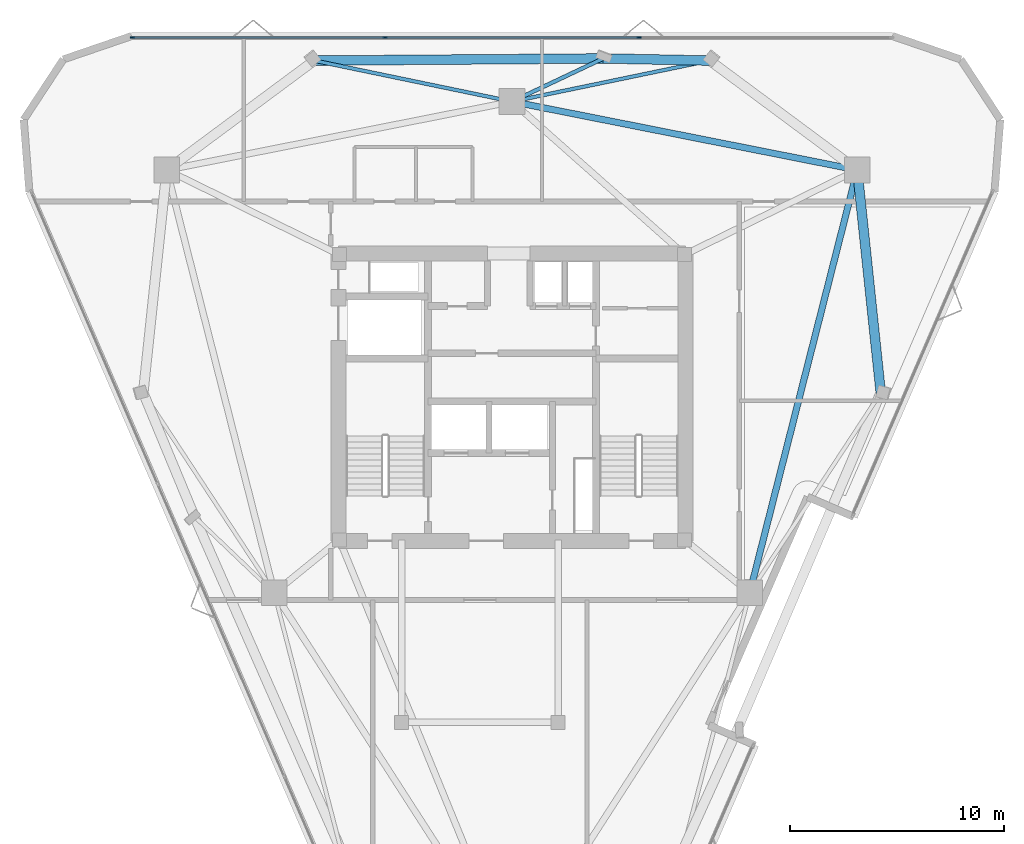
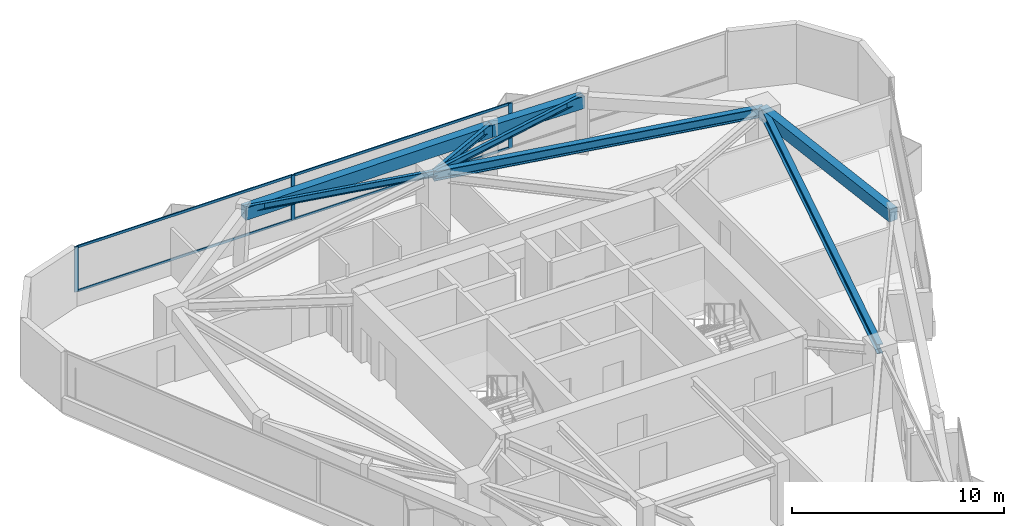
# One storey, part 5 of 10: 8 beams, 7 members, 1 element without a shape of its own.
"""IFC4 building model written with IfcOpenShell, lengths in metres."""

from ifc_helpers import new_model, si_unit, direction, frame, origin, origin_2d, place, context, subcontext, project, spatial, rectangle, i_section, extrude, material, layer, layer_set, material_profile, profile_set, type_object, element, aggregate, save


model = new_model("IFC4")

# Units and contexts
model_context = context("Model", 3, precision=1e-05, world=origin(), true_north=direction((0.0, 1.0)))
body_context = subcontext(model_context, "Body", "Model", "MODEL_VIEW")
ifc_project = project(units=[si_unit("LENGTHUNIT", "METRE"), si_unit("AREAUNIT", "SQUARE_METRE"), si_unit("VOLUMEUNIT", "CUBIC_METRE"), si_unit("PLANEANGLEUNIT", "RADIAN"), si_unit("MASSUNIT", "GRAM", prefix="KILO")], contexts=[model_context])

# Site, building, storey
site_placement = place(None, origin())
site = spatial("IfcSite", under=ifc_project, at=site_placement, CompositionType="ELEMENT")
building_placement = place(site_placement, origin())
building = spatial("IfcBuilding", under=site, at=building_placement, Name="Talyreon Biosciences Tower", CompositionType="ELEMENT")
storey_placement = place(building_placement, frame((0.0, 0.0, 257.14990234375)))
storey = spatial("IfcBuildingStorey", under=building, at=storey_placement, Name="L68", CompositionType="ELEMENT", Elevation=257.14990234375)

# Curtain wall, members
ifc_material_1 = material(Name="Thermally broken aluminium and low-E glazing", Category="aluminium")
ifc_layer = layer(ifc_material_1, 0.205078125)
ifc_layer_set = layer_set([ifc_layer], Name="Thermally broken aluminium and low-E glazing")
curtain_wall_type = type_object("IfcCurtainWallType", Name="CurtainWall_SkyGardenLoggia", PredefinedType="NOTDEFINED", material=ifc_layer_set)
curtain_wall_placement = place(storey_placement, origin())
curtain_wall = element("IfcCurtainWall", 1, at=curtain_wall_placement, inside=storey, type_object=curtain_wall_type, Name="L68 Unitised Curtain Wall FCW-L68-03", PredefinedType="NOTDEFINED")
ifc_material_2 = material(Name="Anodised thermally broken aluminium", Category="aluminium")
ifc_material_profile_1 = material_profile(ifc_material_2, rectangle(XDim=0.074951171875, YDim=0.2099609375, at=origin_2d()), Name="ALUM MULLION 75x210")
ifc_profile_set_1 = profile_set([ifc_material_profile_1], Name="Anodised thermally broken aluminium")
member_type_1 = type_object("IfcMemberType", Name="CWMullion_75x210", PredefinedType="MULLION", material=ifc_profile_set_1)
member_1_placement = place(storey_placement, frame((48.299072265625, 84.77099609375, 0.81005859375), z_axis=(0.0, 0.0, 1.0), x_axis=(0.0, 1.0, 0.0)))
member_1 = element("IfcMember", 2, at=member_1_placement, type_object=member_type_1, Name="CW7 mullion 1", PredefinedType="MULLION", context=body_context, shape_type="SweptSolid", body=[
    extrude(rectangle(XDim=0.074951171875, YDim=0.2099609375, at=origin_2d()), origin(), (0.0, 0.0, 1.0), 2.590087890625),
])
member_2_placement = place(storey_placement, frame((60.087158203125, 84.77099609375, 0.81005859375), z_axis=(0.0, 0.0, 1.0), x_axis=(0.0, 1.0, 0.0)))
member_2 = element("IfcMember", 3, at=member_2_placement, type_object=member_type_1, Name="CW7 mullion 2", PredefinedType="MULLION", context=body_context, shape_type="SweptSolid", body=[
    extrude(rectangle(XDim=0.074951171875, YDim=0.2099609375, at=origin_2d()), origin(), (0.0, 0.0, 1.0), 2.590087890625),
])
member_3_placement = place(storey_placement, frame((71.912841796875, 84.77099609375, 0.81005859375), z_axis=(0.0, 0.0, 1.0), x_axis=(0.0, 1.0, 0.0)))
member_3 = element("IfcMember", 4, at=member_3_placement, type_object=member_type_1, Name="CW7 mullion 3", PredefinedType="MULLION", context=body_context, shape_type="SweptSolid", body=[
    extrude(rectangle(XDim=0.074951171875, YDim=0.2099609375, at=origin_2d()), origin(), (0.0, 0.0, 1.0), 2.590087890625),
])
ifc_material_profile_2 = material_profile(ifc_material_2, rectangle(XDim=0.06494140625, YDim=0.139892578125, at=origin_2d()), Name="ALUM TRANSOM 65x140")
ifc_profile_set_2 = profile_set([ifc_material_profile_2], Name="Anodised thermally broken aluminium")
member_type_2 = type_object("IfcMemberType", Name="CWTransom_65x140", PredefinedType="USERDEFINED", material=ifc_profile_set_2)
member_4_placement = place(storey_placement, frame((48.33642578125, 84.77099609375, 0.842529296875), z_axis=(1.0, 0.0, 0.0), x_axis=(0.0, 1.0, 0.0)))
member_4 = element("IfcMember", 5, at=member_4_placement, type_object=member_type_2, Name="CW7 transom 1.1", ObjectType="TRANSOM", PredefinedType="USERDEFINED", context=body_context, shape_type="SweptSolid", body=[
    extrude(rectangle(XDim=0.06494140625, YDim=0.139892578125, at=origin_2d()), origin(), (0.0, 0.0, 1.0), 11.713134765625),
])
member_5_placement = place(storey_placement, frame((48.33642578125, 84.77099609375, 3.36767578125), z_axis=(1.0, 0.0, 0.0), x_axis=(0.0, 1.0, 0.0)))
member_5 = element("IfcMember", 6, at=member_5_placement, type_object=member_type_2, Name="CW7 transom 1.2", ObjectType="TRANSOM", PredefinedType="USERDEFINED", context=body_context, shape_type="SweptSolid", body=[
    extrude(rectangle(XDim=0.06494140625, YDim=0.139892578125, at=origin_2d()), origin(), (0.0, 0.0, 1.0), 11.713134765625),
])
member_6_placement = place(storey_placement, frame((60.124755859375, 84.77099609375, 0.842529296875), z_axis=(1.0, 0.0, 0.0), x_axis=(0.0, 1.0, 0.0)))
member_6 = element("IfcMember", 7, at=member_6_placement, type_object=member_type_2, Name="CW7 transom 2.1", ObjectType="TRANSOM", PredefinedType="USERDEFINED", context=body_context, shape_type="SweptSolid", body=[
    extrude(rectangle(XDim=0.06494140625, YDim=0.139892578125, at=origin_2d()), origin(), (0.0, 0.0, 1.0), 11.75048828125),
])
member_7_placement = place(storey_placement, frame((60.124755859375, 84.77099609375, 3.36767578125), z_axis=(1.0, 0.0, 0.0), x_axis=(0.0, 1.0, 0.0)))
member_7 = element("IfcMember", 8, at=member_7_placement, type_object=member_type_2, Name="CW7 transom 2.2", ObjectType="TRANSOM", PredefinedType="USERDEFINED", context=body_context, shape_type="SweptSolid", body=[
    extrude(rectangle(XDim=0.06494140625, YDim=0.139892578125, at=origin_2d()), origin(), (0.0, 0.0, 1.0), 11.75048828125),
])
aggregate(curtain_wall, [member_1, member_2, member_3, member_4, member_5, member_6, member_7])

# Beams
ifc_material_3 = material(Name="Precast concrete C45/55", Category="concrete")
ifc_material_profile_3 = material_profile(ifc_material_3, rectangle(XDim=0.449951171875, YDim=0.699951171875, at=origin_2d()), Name="RCB 450x700")
ifc_profile_set_3 = profile_set([ifc_material_profile_3], Name="Precast concrete C45/55")
beam_type_1 = type_object("IfcBeamType", Name="ExpressedSpandrel_450x700", PredefinedType="SPANDREL", material=ifc_profile_set_3)
beam_1_placement = place(storey_placement, frame((83.197998046875, 68.20654296875, 3.050048828125), z_axis=(-0.104855047938, 0.994487515719, 0.0), x_axis=(-0.994487515719, -0.104855047938, 0.0)))
element("IfcBeam", 9, at=beam_1_placement, inside=storey, type_object=beam_type_1, Name="L68 Expressed Horizontal Concrete Spandrel 04", PredefinedType="SPANDREL", context=body_context, shape_type="SweptSolid", body=[
    extrude(rectangle(XDim=0.449951171875, YDim=0.699951171875, at=origin_2d()), origin(), (0.0, 0.0, 1.0), 10.44970703125),
])
beam_2_placement = place(storey_placement, frame((75.22412109375, 83.700927734375, 3.050048828125), z_axis=(-0.999797002788, 0.020148280715, 0.0), x_axis=(-0.020148280715, -0.999797002788, 0.0)))
element("IfcBeam", 10, at=beam_2_placement, inside=storey, type_object=beam_type_1, Name="L68 Expressed Horizontal Concrete Spandrel 06", PredefinedType="SPANDREL", context=body_context, shape_type="SweptSolid", body=[
    extrude(rectangle(XDim=0.449951171875, YDim=0.699951171875, at=origin_2d()), origin(), (0.0, 0.0, 1.0), 4.968017578125),
])
beam_3_placement = place(storey_placement, frame((70.257080078125, 83.801025390625, 3.050048828125), z_axis=(-0.999972435972, -0.00742477587, 0.0), x_axis=(0.00742477587, -0.999972435972, 0.0)))
element("IfcBeam", 11, at=beam_3_placement, inside=storey, type_object=beam_type_1, Name="L68 Expressed Horizontal Concrete Spandrel 07", PredefinedType="SPANDREL", context=body_context, shape_type="SweptSolid", body=[
    extrude(rectangle(XDim=0.449951171875, YDim=0.699951171875, at=origin_2d()), origin(), (0.0, 0.0, 1.0), 13.481689453125),
])
ifc_material_4 = material(Name="Steel SM355", Category="steel")
ifc_material_profile_4 = material_profile(ifc_material_4, i_section(OverallWidth=0.300048828125, OverallDepth=0.550048828125, WebThickness=0.014892578125, FlangeThickness=0.029052734375, FilletRadius=0.027099609375, at=origin_2d()), Name="HE550B")
ifc_profile_set_4 = profile_set([ifc_material_profile_4], Name="Steel SM355")
beam_type_2 = type_object("IfcBeamType", Name="SteelBeam_HE550B", PredefinedType="BEAM", material=ifc_profile_set_4)
beam_4_placement = place(storey_placement, frame((77.086181640625, 58.88037109375, 3.125), z_axis=(0.246537082299, 0.969133358755, 0.0), x_axis=(-0.969133358755, 0.246537082299, 0.0)))
element("IfcBeam", 12, at=beam_4_placement, inside=storey, type_object=beam_type_2, Name="L68 Mega-Ring Girder 2", PredefinedType="BEAM", context=body_context, shape_type="SweptSolid", body=[
    extrude(i_section(OverallWidth=0.300048828125, OverallDepth=0.550048828125, WebThickness=0.014892578125, FlangeThickness=0.029052734375, FilletRadius=0.027099609375, at=origin_2d()), origin(), (0.0, 0.0, 1.0), 20.34619140625),
])
beam_5_placement = place(storey_placement, frame((82.102294921875, 78.5986328125, 3.125), z_axis=(-0.980933730698, 0.194342522311, 0.0), x_axis=(-0.194342522311, -0.980933730698, 0.0)))
element("IfcBeam", 13, at=beam_5_placement, inside=storey, type_object=beam_type_2, Name="L68 Mega-Ring Girder 3", PredefinedType="BEAM", context=body_context, shape_type="SweptSolid", body=[
    extrude(i_section(OverallWidth=0.300048828125, OverallDepth=0.550048828125, WebThickness=0.014892578125, FlangeThickness=0.029052734375, FilletRadius=0.027099609375, at=origin_2d()), origin(), (0.0, 0.0, 1.0), 16.415283203125),
])
ifc_material_profile_5 = material_profile(ifc_material_4, i_section(OverallWidth=0.169921875, OverallDepth=0.360107421875, WebThickness=0.008056640625, FlangeThickness=0.0126953125, FilletRadius=0.01806640625, at=origin_2d()), Name="IPE360")
ifc_profile_set_5 = profile_set([ifc_material_profile_5], Name="Steel SM355")
beam_type_3 = type_object("IfcBeamType", Name="SteelJoist_IPE360", PredefinedType="JOIST", material=ifc_profile_set_5)
for number, where, z_axis, x_axis, name in (
    (14, (66.0, 81.788818359375, 3.22021484375), (0.979183041531, 0.202979238295, 0.0), (-0.202979238295, 0.979183041531, 0.0), "L68 Radial Composite Floor Joist PC-N1"),
    (15, (66.0, 81.788818359375, 3.22021484375), (-0.979183041531, 0.202979238295, 0.0), (-0.202979238295, -0.979183041531, 0.0), "L68 Radial Composite Floor Joist PC-N2"),
):
    element("IfcBeam", number, at=place(storey_placement, frame(where, z_axis=z_axis, x_axis=x_axis)), inside=storey, type_object=beam_type_3, Name=name, PredefinedType="JOIST", context=body_context, shape_type="SweptSolid", body=[
        extrude(i_section(OverallWidth=0.169921875, OverallDepth=0.360107421875, WebThickness=0.008056640625, FlangeThickness=0.0126953125, FilletRadius=0.01806640625, at=origin_2d()), origin(), (0.0, 0.0, 1.0), 9.420166015625),
    ])
ifc_material_profile_6 = material_profile(ifc_material_4, i_section(OverallWidth=0.179931640625, OverallDepth=0.39990234375, WebThickness=0.008544921875, FlangeThickness=0.013427734375, FilletRadius=0.02099609375, at=origin_2d()), Name="IPE400")
ifc_profile_set_6 = profile_set([ifc_material_profile_6], Name="Steel SM355")
beam_type_4 = type_object("IfcBeamType", Name="SteelJoist_IPE400", PredefinedType="JOIST", material=ifc_profile_set_6)
beam_6_placement = place(storey_placement, frame((66.0, 81.788818359375, 3.2001953125), z_axis=(0.904091206407, 0.427339549418, 0.0), x_axis=(-0.427339549418, 0.904091206407, 0.0)))
element("IfcBeam", 16, at=beam_6_placement, inside=storey, type_object=beam_type_4, Name="L68 Radial Composite Floor Joist PL-N", PredefinedType="JOIST", context=body_context, shape_type="SweptSolid", body=[
    extrude(i_section(OverallWidth=0.179931640625, OverallDepth=0.39990234375, WebThickness=0.008544921875, FlangeThickness=0.013427734375, FilletRadius=0.02099609375, at=origin_2d()), origin(), (0.0, 0.0, 1.0), 4.708740234375),
])

save(model, "model.ifc")
